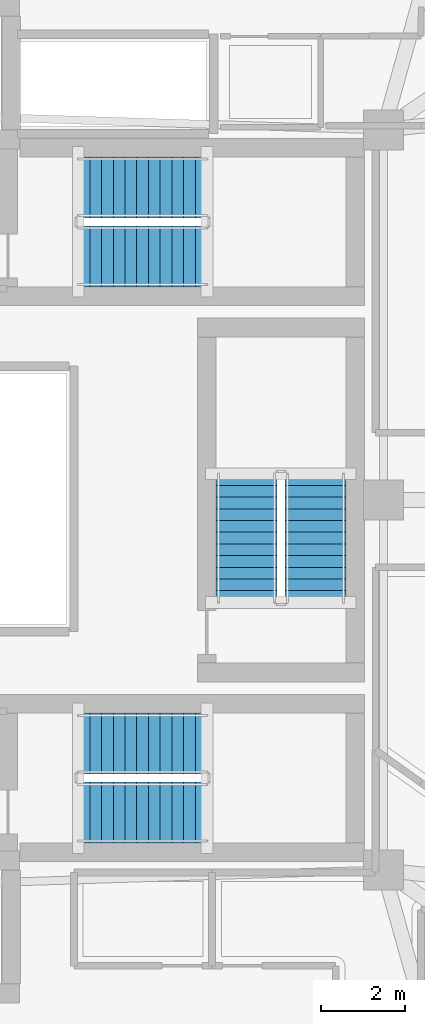
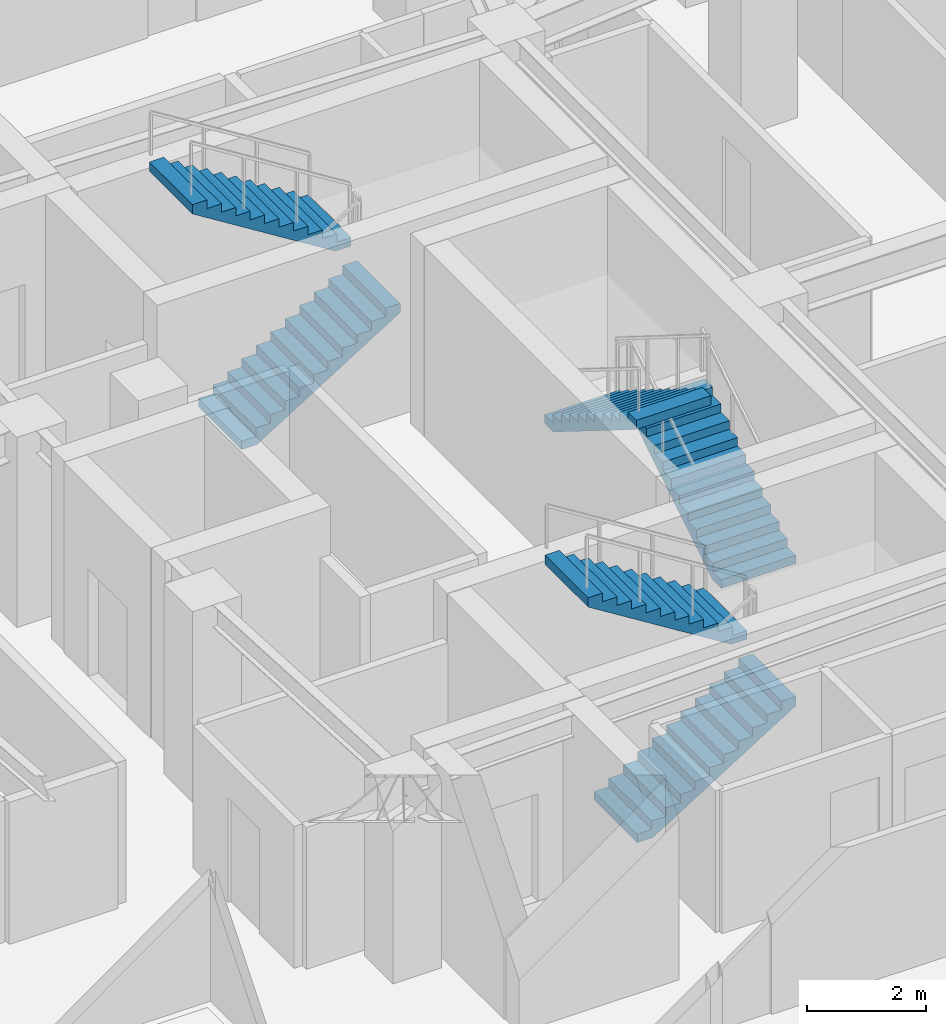
# One storey, part 13 of 16: 6 stair flights, 3 elements without a shape of their own.
"""IFC4 building model written with IfcOpenShell, lengths in metres."""

from ifc_helpers import new_model, si_unit, direction, frame, origin, place, context, subcontext, project, spatial, polyline, outline, extrude, material, type_object, element, aggregate, save


model = new_model("IFC4")

# Units and contexts
model_context = context("Model", 3, precision=1e-05, world=origin(), true_north=direction((0.0, 1.0)))
body_context = subcontext(model_context, "Body", "Model", "MODEL_VIEW")
ifc_project = project(units=[si_unit("LENGTHUNIT", "METRE"), si_unit("AREAUNIT", "SQUARE_METRE"), si_unit("VOLUMEUNIT", "CUBIC_METRE"), si_unit("PLANEANGLEUNIT", "RADIAN"), si_unit("MASSUNIT", "GRAM", prefix="KILO")], contexts=[model_context])

# Site, building, storey
site_placement = place(None, origin())
site = spatial("IfcSite", under=ifc_project, at=site_placement, CompositionType="ELEMENT")
building_placement = place(site_placement, origin())
building = spatial("IfcBuilding", under=site, at=building_placement, Name="Korentha Bioscience Tower", CompositionType="ELEMENT")
storey_placement = place(building_placement, frame((0.0, 0.0, 59.39990234375)))
storey = spatial("IfcBuildingStorey", under=building, at=storey_placement, Name="L13", CompositionType="ELEMENT", Elevation=59.39990234375)

# Stair, stair flights
ifc_material = material(Name="Precast Concrete C50", Category="concrete")
stair_type = type_object("IfcStairType", Name="Core Exit Dog-Leg Stair 1450", PredefinedType="HALF_TURN_STAIR", material=ifc_material)
stair_1_placement = place(storey_placement, origin())
stair_1 = element("IfcStair", 1, at=stair_1_placement, inside=storey, type_object=stair_type, Name="L13 Tower North Pressurized Exit Stair ST-1", PredefinedType="HALF_TURN_STAIR")
stair_flight_type = type_object("IfcStairFlightType", Name="Core Exit Dog-Leg Stair 1450 Flight", PredefinedType="STRAIGHT", material=ifc_material)
stair_flight_1_placement = place(storey_placement, frame((30.25, 32.824951171875, 0.0), z_axis=(0.0, 0.0, 1.0), x_axis=(1.0, 0.0, 0.0)))
stair_flight_1 = element("IfcStairFlight", 2, at=stair_flight_1_placement, type_object=stair_flight_type, Name="ST-1 flight 1", NumberOfRisers=12, NumberOfTreads=11, PredefinedType="STRAIGHT", RiserHeight=0.175, TreadLength=0.28, context=body_context, shape_type="SweptSolid", body=[
    extrude(outline(polyline([(0.0, 0.0), (0.0, 0.175048828125), (0.280029296875, 0.175048828125), (0.280029296875, 0.35009765625), (0.56005859375, 0.35009765625), (0.56005859375, 0.52490234375), (0.840087890625, 0.52490234375), (0.840087890625, 0.699951171875), (1.1201171875, 0.699951171875), (1.1201171875, 0.875), (1.39990234375, 0.875), (1.39990234375, 1.050048828125), (1.679931640625, 1.050048828125), (1.679931640625, 1.22509765625), (1.9599609375, 1.22509765625), (1.9599609375, 1.39990234375), (2.239990234375, 1.39990234375), (2.239990234375, 1.574951171875), (2.52001953125, 1.574951171875), (2.52001953125, 1.75), (2.800048828125, 1.75), (2.800048828125, 1.925048828125), (3.080078125, 1.925048828125), (3.080078125, 2.10009765625), (3.080078125, 1.736328125), (0.3017578125, 0.0), (0.0, 0.0)])), frame((0.0, 0.72509765625, 0.0), z_axis=(0.0, -1.0, 0.0), x_axis=(1.0, 0.0, 0.0)), (0.0, 0.0, 1.0), 1.449951171875),
])
stair_flight_2_placement = place(storey_placement, frame((33.330078125, 34.47509765625, 2.10009765625), z_axis=(0.0, 0.0, 1.0), x_axis=(-1.0, 0.0, 0.0)))
stair_flight_2 = element("IfcStairFlight", 3, at=stair_flight_2_placement, type_object=stair_flight_type, Name="ST-1 flight 2", NumberOfRisers=12, NumberOfTreads=11, PredefinedType="STRAIGHT", RiserHeight=0.175, TreadLength=0.28, context=body_context, shape_type="SweptSolid", body=[
    extrude(outline(polyline([(0.0, 0.0), (0.0, 0.175048828125), (0.280029296875, 0.175048828125), (0.280029296875, 0.35009765625), (0.56005859375, 0.35009765625), (0.56005859375, 0.52490234375), (0.840087890625, 0.52490234375), (0.840087890625, 0.699951171875), (1.1201171875, 0.699951171875), (1.1201171875, 0.875), (1.39990234375, 0.875), (1.39990234375, 1.050048828125), (1.679931640625, 1.050048828125), (1.679931640625, 1.22509765625), (1.9599609375, 1.22509765625), (1.9599609375, 1.39990234375), (2.239990234375, 1.39990234375), (2.239990234375, 1.574951171875), (2.52001953125, 1.574951171875), (2.52001953125, 1.75), (2.800048828125, 1.75), (2.800048828125, 1.925048828125), (3.080078125, 1.925048828125), (3.080078125, 2.10009765625), (3.080078125, 1.736328125), (0.3017578125, 0.0), (0.0, 0.0)])), frame((0.0, 0.72509765625, 0.0), z_axis=(0.0, -1.0, 0.0), x_axis=(1.0, 0.0, 0.0)), (0.0, 0.0, 1.0), 1.449951171875),
])
aggregate(stair_1, [stair_flight_1, stair_flight_2])

stair_2_placement = place(storey_placement, origin())
stair_2 = element("IfcStair", 4, at=stair_2_placement, inside=storey, type_object=stair_type, Name="L13 Tower South Pressurized Exit Stair ST-2", PredefinedType="HALF_TURN_STAIR")
stair_flight_3_placement = place(storey_placement, frame((30.25, 19.52490234375, 0.0), z_axis=(0.0, 0.0, 1.0), x_axis=(1.0, 0.0, 0.0)))
stair_flight_3 = element("IfcStairFlight", 5, at=stair_flight_3_placement, type_object=stair_flight_type, Name="ST-2 flight 1", NumberOfRisers=12, NumberOfTreads=11, PredefinedType="STRAIGHT", RiserHeight=0.175, TreadLength=0.28, context=body_context, shape_type="SweptSolid", body=[
    extrude(outline(polyline([(0.0, 0.0), (0.0, 0.175048828125), (0.280029296875, 0.175048828125), (0.280029296875, 0.35009765625), (0.56005859375, 0.35009765625), (0.56005859375, 0.52490234375), (0.840087890625, 0.52490234375), (0.840087890625, 0.699951171875), (1.1201171875, 0.699951171875), (1.1201171875, 0.875), (1.39990234375, 0.875), (1.39990234375, 1.050048828125), (1.679931640625, 1.050048828125), (1.679931640625, 1.22509765625), (1.9599609375, 1.22509765625), (1.9599609375, 1.39990234375), (2.239990234375, 1.39990234375), (2.239990234375, 1.574951171875), (2.52001953125, 1.574951171875), (2.52001953125, 1.75), (2.800048828125, 1.75), (2.800048828125, 1.925048828125), (3.080078125, 1.925048828125), (3.080078125, 2.10009765625), (3.080078125, 1.736328125), (0.3017578125, 0.0), (0.0, 0.0)])), frame((0.0, 0.72509765625, 0.0), z_axis=(0.0, -1.0, 0.0), x_axis=(1.0, 0.0, 0.0)), (0.0, 0.0, 1.0), 1.449951171875),
])
stair_flight_4_placement = place(storey_placement, frame((33.330078125, 21.175048828125, 2.10009765625), z_axis=(0.0, 0.0, 1.0), x_axis=(-1.0, 0.0, 0.0)))
stair_flight_4 = element("IfcStairFlight", 6, at=stair_flight_4_placement, type_object=stair_flight_type, Name="ST-2 flight 2", NumberOfRisers=12, NumberOfTreads=11, PredefinedType="STRAIGHT", RiserHeight=0.175, TreadLength=0.28, context=body_context, shape_type="SweptSolid", body=[
    extrude(outline(polyline([(0.0, 0.0), (0.0, 0.175048828125), (0.280029296875, 0.175048828125), (0.280029296875, 0.35009765625), (0.56005859375, 0.35009765625), (0.56005859375, 0.52490234375), (0.840087890625, 0.52490234375), (0.840087890625, 0.699951171875), (1.1201171875, 0.699951171875), (1.1201171875, 0.875), (1.39990234375, 0.875), (1.39990234375, 1.050048828125), (1.679931640625, 1.050048828125), (1.679931640625, 1.22509765625), (1.9599609375, 1.22509765625), (1.9599609375, 1.39990234375), (2.239990234375, 1.39990234375), (2.239990234375, 1.574951171875), (2.52001953125, 1.574951171875), (2.52001953125, 1.75), (2.800048828125, 1.75), (2.800048828125, 1.925048828125), (3.080078125, 1.925048828125), (3.080078125, 2.10009765625), (3.080078125, 1.736328125), (0.3017578125, 0.0), (0.0, 0.0)])), frame((0.0, 0.72509765625, 0.0), z_axis=(0.0, -1.0, 0.0), x_axis=(1.0, 0.0, 0.0)), (0.0, 0.0, 1.0), 1.449951171875),
])
aggregate(stair_2, [stair_flight_3, stair_flight_4])

stair_3_placement = place(storey_placement, origin())
stair_3 = element("IfcStair", 7, at=stair_3_placement, inside=storey, type_object=stair_type, Name="L13 Tower Central Pressurized Exit Stair ST-3", PredefinedType="HALF_TURN_STAIR")
stair_flight_5_placement = place(storey_placement, frame((35.925048828125, 24.550048828125, 0.0), z_axis=(0.0, 0.0, 1.0), x_axis=(0.0, 1.0, 0.0)))
stair_flight_5 = element("IfcStairFlight", 8, at=stair_flight_5_placement, type_object=stair_flight_type, Name="ST-3 flight 1", NumberOfRisers=12, NumberOfTreads=11, PredefinedType="STRAIGHT", RiserHeight=0.175, TreadLength=0.28, context=body_context, shape_type="SweptSolid", body=[
    extrude(outline(polyline([(0.0, 0.0), (0.0, 0.175048828125), (0.280029296875, 0.175048828125), (0.280029296875, 0.35009765625), (0.56005859375, 0.35009765625), (0.56005859375, 0.52490234375), (0.840087890625, 0.52490234375), (0.840087890625, 0.699951171875), (1.1201171875, 0.699951171875), (1.1201171875, 0.875), (1.39990234375, 0.875), (1.39990234375, 1.050048828125), (1.679931640625, 1.050048828125), (1.679931640625, 1.22509765625), (1.9599609375, 1.22509765625), (1.9599609375, 1.39990234375), (2.239990234375, 1.39990234375), (2.239990234375, 1.574951171875), (2.52001953125, 1.574951171875), (2.52001953125, 1.75), (2.800048828125, 1.75), (2.800048828125, 1.925048828125), (3.080078125, 1.925048828125), (3.080078125, 2.10009765625), (3.080078125, 1.736328125), (0.3017578125, 0.0), (0.0, 0.0)])), frame((0.0, 0.72509765625, 0.0), z_axis=(0.0, -1.0, 0.0), x_axis=(1.0, 0.0, 0.0)), (0.0, 0.0, 1.0), 1.449951171875),
])
stair_flight_6_placement = place(storey_placement, frame((34.27490234375, 27.6298828125, 2.10009765625), z_axis=(0.0, 0.0, 1.0), x_axis=(0.0, -1.0, 0.0)))
stair_flight_6 = element("IfcStairFlight", 9, at=stair_flight_6_placement, type_object=stair_flight_type, Name="ST-3 flight 2", NumberOfRisers=12, NumberOfTreads=11, PredefinedType="STRAIGHT", RiserHeight=0.175, TreadLength=0.28, context=body_context, shape_type="SweptSolid", body=[
    extrude(outline(polyline([(0.0, 0.0), (0.0, 0.175048828125), (0.280029296875, 0.175048828125), (0.280029296875, 0.35009765625), (0.56005859375, 0.35009765625), (0.56005859375, 0.52490234375), (0.840087890625, 0.52490234375), (0.840087890625, 0.699951171875), (1.1201171875, 0.699951171875), (1.1201171875, 0.875), (1.39990234375, 0.875), (1.39990234375, 1.050048828125), (1.679931640625, 1.050048828125), (1.679931640625, 1.22509765625), (1.9599609375, 1.22509765625), (1.9599609375, 1.39990234375), (2.239990234375, 1.39990234375), (2.239990234375, 1.574951171875), (2.52001953125, 1.574951171875), (2.52001953125, 1.75), (2.800048828125, 1.75), (2.800048828125, 1.925048828125), (3.080078125, 1.925048828125), (3.080078125, 2.10009765625), (3.080078125, 1.736328125), (0.3017578125, 0.0), (0.0, 0.0)])), frame((0.0, 0.72509765625, 0.0), z_axis=(0.0, -1.0, 0.0), x_axis=(1.0, 0.0, 0.0)), (0.0, 0.0, 1.0), 1.449951171875),
])
aggregate(stair_3, [stair_flight_5, stair_flight_6])

save(model, "model.ifc")
